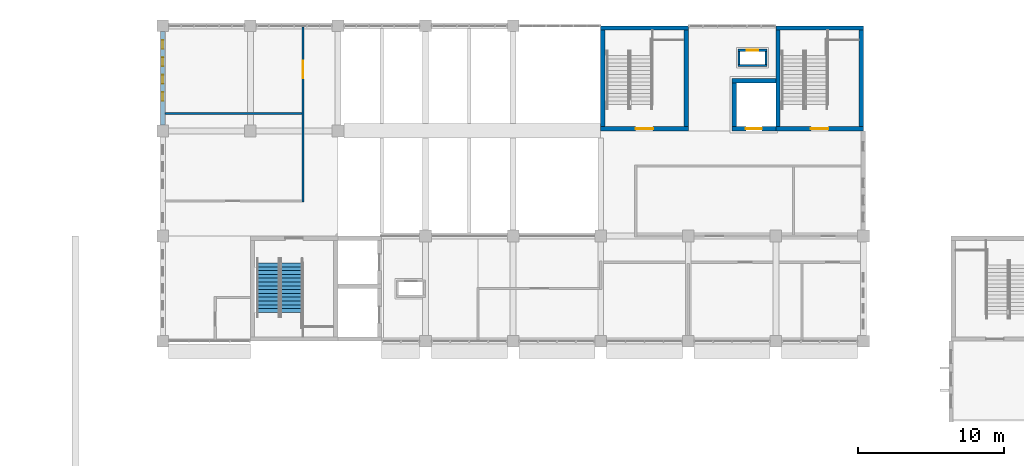
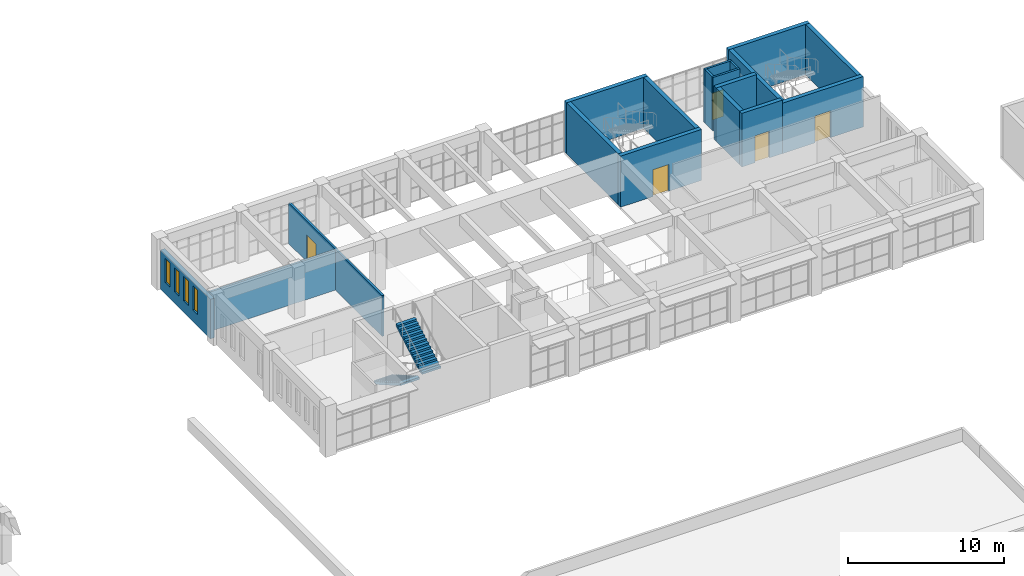
# One storey, part 36 of 47: 18 walls, 5 doors, 4 windows, 2 stair flights, 9 openings, 1 element without a shape of its own.
"""IFC4 building model written with IfcOpenShell, lengths in metres."""

from ifc_helpers import new_model, si_unit, direction, frame, frame_2d, origin, place, context, subcontext, project, spatial, polyline, rectangle, outline, extrude, material, layer, layer_set, type_object, element, fill, aggregate, save


model = new_model("IFC4")

# Units and contexts
model_context = context("Model", 3, precision=1e-05, world=origin(), true_north=direction((0.0, 1.0)))
body_context = subcontext(model_context, "Body", "Model", "MODEL_VIEW")
ifc_project = project(units=[si_unit("LENGTHUNIT", "METRE"), si_unit("AREAUNIT", "SQUARE_METRE"), si_unit("VOLUMEUNIT", "CUBIC_METRE"), si_unit("PLANEANGLEUNIT", "RADIAN"), si_unit("MASSUNIT", "GRAM", prefix="KILO")], contexts=[model_context])

# Site, building, storey
site_placement = place(None, origin())
site = spatial("IfcSite", under=ifc_project, at=site_placement, CompositionType="ELEMENT")
building_placement = place(site_placement, origin())
building = spatial("IfcBuilding", under=site, at=building_placement, Name="Laocheng Heights Fire and Rescue Headquarters", CompositionType="ELEMENT")
storey_placement = place(building_placement, frame((0.0, 0.0, 16.800048828125)))
storey = spatial("IfcBuildingStorey", under=building, at=storey_placement, Name="L04", CompositionType="ELEMENT", Elevation=16.800048828125)

# Wall, opening, door
ifc_material_1 = material(Name="Gypsum plaster")
ifc_layer_1 = layer(ifc_material_1, 0.010009765625, Name="PLASTER", Category="plaster")
ifc_material_2 = material(Name="Concrete blockwork MU10", Category="masonry")
ifc_layer_2 = layer(ifc_material_2, 0.1298828125, Name="BLOCKWORK", Category="masonry")
ifc_layer_3 = layer(ifc_material_1, 0.010009765625, Name="PLASTER", Category="plaster")
ifc_layer_set_1 = layer_set([ifc_layer_1, ifc_layer_2, ifc_layer_3], Name="Concrete blockwork MU10")
wall_type_1 = type_object("IfcWallType", Name="BLOCKWORK CORRIDOR WALL 150 EI 60 HQ WING", PredefinedType="PARTITIONING", material=ifc_layer_set_1)
wall_1_placement = place(storey_placement, frame((45.60009765625, 59.925048828125, 0.0), z_axis=(0.0, 0.0, 1.0), x_axis=(0.0, 1.0, 0.0)))
wall_1 = element("IfcWall", 1, at=wall_1_placement, inside=storey, type_object=wall_type_1, Name="Partition L04-002", PredefinedType="PARTITIONING", context=body_context, shape_type="SweptSolid", body=[
    extrude(rectangle(XDim=12.0, YDim=0.14990234375, at=frame_2d((6.0, 0.0))), origin(), (0.0, 0.0, 1.0), 3.199951171875),
])
opening_1_placement = place(wall_1_placement, frame((8.47509765625, 0.0, 0.0)))
opening_1 = element("IfcOpeningElement", 2, at=opening_1_placement, cuts=wall_1, Name="Opening L04-Y02", PredefinedType="OPENING", context=body_context, shape_type="SweptSolid", body=[
    extrude(rectangle(XDim=1.199951171875, YDim=2.10009765625, at=frame_2d((0.60009765625, 1.050048828125))), frame((0.0, 0.0849609375, 0.0), z_axis=(0.0, -1.0, 0.0), x_axis=(1.0, 0.0, 0.0)), (0.0, 0.0, 1.0), 0.169921875),
])
ifc_material_3 = material(Name="Timber door leaf, veneered", Category="wood")
door_type_1 = type_object("IfcDoorType", Name="TIMBER DOOR 1200x2100 EI 30 HQ WING", OperationType="SINGLE_SWING_LEFT", PredefinedType="DOOR", material=ifc_material_3)
door_1_placement = place(opening_1_placement, origin())
door_1 = element("IfcDoor", 3, at=door_1_placement, inside=storey, type_object=door_type_1, Name="Door L04-Y02", OperationType="SINGLE_SWING_LEFT", OverallHeight=2.10009765625, OverallWidth=1.199951171875, PredefinedType="DOOR", context=body_context, shape_type="SweptSolid", body=[
    extrude(rectangle(XDim=1.199951171875, YDim=2.10009765625, at=frame_2d((0.60009765625, 1.050048828125))), frame((0.0, 0.02490234375, 0.0), z_axis=(0.0, -1.0, 0.0), x_axis=(1.0, 0.0, 0.0)), (0.0, 0.0, 1.0), 0.050048828125),
])
fill(opening_1, door_1)

# Wall
wall_2_placement = place(storey_placement, frame((36.14990234375, 66.0, 0.0), z_axis=(0.0, 0.0, 1.0), x_axis=(1.0, 0.0, 0.0)))
element("IfcWall", 4, at=wall_2_placement, inside=storey, type_object=wall_type_1, Name="Partition L04-017", PredefinedType="PARTITIONING", context=body_context, shape_type="SweptSolid", body=[
    extrude(rectangle(XDim=9.375, YDim=0.14990234375, at=frame_2d((4.6875, 0.0))), origin(), (0.0, 0.0, 1.0), 3.099853515625),
])

# Wall, openings, windows
ifc_material_4 = material(Name="Precast concrete C40/50", Category="concrete")
ifc_layer_4 = layer(ifc_material_4, 0.300048828125)
ifc_layer_set_2 = layer_set([ifc_layer_4], Name="Precast concrete C40/50")
wall_type_2 = type_object("IfcWallType", Name="PRECAST WALL PANEL 300", PredefinedType="SOLIDWALL", material=ifc_layer_set_2)
wall_3_placement = place(storey_placement, frame((36.0, 65.199951171875, 0.0), z_axis=(0.0, 0.0, 1.0), x_axis=(0.0, 1.0, 0.0)))
wall_3 = element("IfcWall", 5, at=wall_3_placement, inside=storey, type_object=wall_type_2, Name="PRECAST WALL PANEL HQ WEST L04", PredefinedType="SOLIDWALL", context=body_context, shape_type="SweptSolid", body=[
    extrude(rectangle(XDim=6.400146484375, YDim=0.300048828125, at=frame_2d((3.2001953125, 0.0))), origin(), (0.0, 0.0, 1.0), 3.099853515625),
])
opening_2_placement = place(wall_3_placement, frame((1.6640625, 0.0, 0.89990234375)))
opening_2 = element("IfcOpeningElement", 6, at=opening_2_placement, cuts=wall_3, Name="Opening N1-X", PredefinedType="OPENING", context=body_context, shape_type="SweptSolid", body=[
    extrude(rectangle(XDim=0.60009765625, YDim=1.89990234375, at=frame_2d((0.300048828125, 0.949951171875))), frame((0.0, 0.159912109375, 0.0), z_axis=(0.0, -1.0, 0.0), x_axis=(1.0, 0.0, 0.0)), (0.0, 0.0, 1.0), 0.320068359375),
])
opening_3_placement = place(wall_3_placement, frame((2.847900390625, 0.0, 0.89990234375)))
opening_3 = element("IfcOpeningElement", 7, at=opening_3_placement, cuts=wall_3, Name="Opening N1-X", PredefinedType="OPENING", context=body_context, shape_type="SweptSolid", body=[
    extrude(rectangle(XDim=0.60009765625, YDim=1.89990234375, at=frame_2d((0.300048828125, 0.949951171875))), frame((0.0, 0.159912109375, 0.0), z_axis=(0.0, -1.0, 0.0), x_axis=(1.0, 0.0, 0.0)), (0.0, 0.0, 1.0), 0.320068359375),
])
opening_4_placement = place(wall_3_placement, frame((4.031982421875, 0.0, 0.89990234375)))
opening_4 = element("IfcOpeningElement", 8, at=opening_4_placement, cuts=wall_3, Name="Opening N1-X", PredefinedType="OPENING", context=body_context, shape_type="SweptSolid", body=[
    extrude(rectangle(XDim=0.60009765625, YDim=1.89990234375, at=frame_2d((0.300048828125, 0.949951171875))), frame((0.0, 0.159912109375, 0.0), z_axis=(0.0, -1.0, 0.0), x_axis=(1.0, 0.0, 0.0)), (0.0, 0.0, 1.0), 0.320068359375),
])
opening_5_placement = place(wall_3_placement, frame((5.216064453125, 0.0, 0.89990234375)))
opening_5 = element("IfcOpeningElement", 9, at=opening_5_placement, cuts=wall_3, Name="Opening N1-X", PredefinedType="OPENING", context=body_context, shape_type="SweptSolid", body=[
    extrude(rectangle(XDim=0.60009765625, YDim=1.89990234375, at=frame_2d((0.300048828125, 0.949951171875))), frame((0.0, 0.159912109375, 0.0), z_axis=(0.0, -1.0, 0.0), x_axis=(1.0, 0.0, 0.0)), (0.0, 0.0, 1.0), 0.320068359375),
])
ifc_material_5 = material(Name="Low-e double glazing in aluminium frame", Category="aluminium")
window_type = type_object("IfcWindowType", Name="WINDOW 600 x 1900 HQ END SLOT", PartitioningType="SINGLE_PANEL", PredefinedType="WINDOW", material=ifc_material_5)
window_1_placement = place(opening_2_placement, origin())
window_1 = element("IfcWindow", 10, at=window_1_placement, inside=storey, type_object=window_type, Name="HQ END SLOT HQ WEST L04", OverallHeight=1.89990234375, OverallWidth=0.60009765625, PartitioningType="SINGLE_PANEL", PredefinedType="WINDOW", context=body_context, shape_type="SweptSolid", body=[
    extrude(rectangle(XDim=0.60009765625, YDim=1.89990234375, at=frame_2d((0.300048828125, 0.949951171875))), frame((0.0, 0.030029296875, 0.0), z_axis=(0.0, -1.0, 0.0), x_axis=(1.0, 0.0, 0.0)), (0.0, 0.0, 1.0), 0.06005859375),
])
fill(opening_2, window_1)
window_2_placement = place(opening_3_placement, origin())
window_2 = element("IfcWindow", 11, at=window_2_placement, inside=storey, type_object=window_type, Name="HQ END SLOT HQ WEST L04", OverallHeight=1.89990234375, OverallWidth=0.60009765625, PartitioningType="SINGLE_PANEL", PredefinedType="WINDOW", context=body_context, shape_type="SweptSolid", body=[
    extrude(rectangle(XDim=0.60009765625, YDim=1.89990234375, at=frame_2d((0.300048828125, 0.949951171875))), frame((0.0, 0.030029296875, 0.0), z_axis=(0.0, -1.0, 0.0), x_axis=(1.0, 0.0, 0.0)), (0.0, 0.0, 1.0), 0.06005859375),
])
fill(opening_3, window_2)
window_3_placement = place(opening_4_placement, origin())
window_3 = element("IfcWindow", 12, at=window_3_placement, inside=storey, type_object=window_type, Name="HQ END SLOT HQ WEST L04", OverallHeight=1.89990234375, OverallWidth=0.60009765625, PartitioningType="SINGLE_PANEL", PredefinedType="WINDOW", context=body_context, shape_type="SweptSolid", body=[
    extrude(rectangle(XDim=0.60009765625, YDim=1.89990234375, at=frame_2d((0.300048828125, 0.949951171875))), frame((0.0, 0.030029296875, 0.0), z_axis=(0.0, -1.0, 0.0), x_axis=(1.0, 0.0, 0.0)), (0.0, 0.0, 1.0), 0.06005859375),
])
fill(opening_4, window_3)
window_4_placement = place(opening_5_placement, origin())
window_4 = element("IfcWindow", 13, at=window_4_placement, inside=storey, type_object=window_type, Name="HQ END SLOT HQ WEST L04", OverallHeight=1.89990234375, OverallWidth=0.60009765625, PartitioningType="SINGLE_PANEL", PredefinedType="WINDOW", context=body_context, shape_type="SweptSolid", body=[
    extrude(rectangle(XDim=0.60009765625, YDim=1.89990234375, at=frame_2d((0.300048828125, 0.949951171875))), frame((0.0, 0.030029296875, 0.0), z_axis=(0.0, -1.0, 0.0), x_axis=(1.0, 0.0, 0.0)), (0.0, 0.0, 1.0), 0.06005859375),
])
fill(opening_5, window_4)

# Wall, opening, door
ifc_material_6 = material(Name="Concrete C50", Category="concrete")
ifc_layer_5 = layer(ifc_material_6, 0.300048828125)
ifc_layer_set_3 = layer_set([ifc_layer_5], Name="Concrete C50")
wall_type_3 = type_object("IfcWallType", Name="RC LIFT SHAFT WALL 300", PredefinedType="SHEAR", material=ifc_layer_set_3)
wall_4_placement = place(storey_placement, frame((75.0, 64.949951171875, 0.0), z_axis=(0.0, 0.0, 1.0), x_axis=(1.0, 0.0, 0.0)))
wall_4 = element("IfcWall", 14, at=wall_4_placement, inside=storey, type_object=wall_type_3, Name="Lift shaft wall", PredefinedType="SHEAR", context=body_context, shape_type="SweptSolid", body=[
    extrude(rectangle(XDim=3.0, YDim=0.300048828125, at=frame_2d((1.5, 0.0))), origin(), (0.0, 0.0, 1.0), 4.199951171875),
])
opening_6_placement = place(wall_4_placement, frame((0.949951171875, 0.0, 0.0)))
opening_6 = element("IfcOpeningElement", 15, at=opening_6_placement, cuts=wall_4, Name="Opening L04-K14", PredefinedType="OPENING", context=body_context, shape_type="SweptSolid", body=[
    extrude(rectangle(XDim=1.10009765625, YDim=2.10009765625, at=frame_2d((0.550048828125, 1.050048828125))), frame((0.0, 0.159912109375, 0.0), z_axis=(0.0, -1.0, 0.0), x_axis=(1.0, 0.0, 0.0)), (0.0, 0.0, 1.0), 0.320068359375),
])
ifc_material_7 = material(Name="Stainless steel", Category="steel")
door_type_2 = type_object("IfcDoorType", Name="LANDING DOOR H-L2 SLIDING 1100x2100 E 120", OperationType="DOUBLE_DOOR_SLIDING", PredefinedType="DOOR", material=ifc_material_7)
door_2_placement = place(opening_6_placement, origin())
door_2 = element("IfcDoor", 16, at=door_2_placement, inside=storey, type_object=door_type_2, Name="Landing door H-L2", OperationType="DOUBLE_DOOR_SLIDING", OverallHeight=2.10009765625, OverallWidth=1.10009765625, PredefinedType="DOOR", context=body_context, shape_type="SweptSolid", body=[
    extrude(rectangle(XDim=1.10009765625, YDim=2.10009765625, at=frame_2d((0.550048828125, 1.050048828125))), frame((0.0, 0.02490234375, 0.0), z_axis=(0.0, -1.0, 0.0), x_axis=(1.0, 0.0, 0.0)), (0.0, 0.0, 1.0), 0.050048828125),
])
fill(opening_6, door_2)

# Walls
for number, where, z_axis, x_axis, name in (
    (17, (75.0, 68.25, 0.0), (0.0, 0.0, 1.0), (1.0, 0.0, 0.0), "Lift shaft wall"),
    (18, (75.14990234375, 65.10009765625, 0.0), (0.0, 0.0, 1.0), (0.0, 1.0, 0.0), "Lift shaft wall"),
):
    element("IfcWall", number, at=place(storey_placement, frame(where, z_axis=z_axis, x_axis=x_axis)), inside=storey, type_object=wall_type_3, Name=name, PredefinedType="SHEAR", context=body_context, shape_type="SweptSolid", body=[
        extrude(rectangle(XDim=3.0, YDim=0.300048828125, at=frame_2d((1.5, 0.0))), origin(), (0.0, 0.0, 1.0), 4.199951171875),
    ])

# Wall, opening, door
ifc_material_8 = material(Name="Concrete C50", Category="concrete")
ifc_layer_6 = layer(ifc_material_8, 0.300048828125)
ifc_layer_set_4 = layer_set([ifc_layer_6], Name="Concrete C50")
wall_type_4 = type_object("IfcWallType", Name="RC STAIR ENCLOSURE WALL 300", PredefinedType="SHEAR", material=ifc_layer_set_4)
wall_5_placement = place(storey_placement, frame((78.0, 64.949951171875, 0.0), z_axis=(0.0, 0.0, 1.0), x_axis=(1.0, 0.0, 0.0)))
wall_5 = element("IfcWall", 19, at=wall_5_placement, inside=storey, type_object=wall_type_4, Name="Stair enclosure wall", PredefinedType="SHEAR", context=body_context, shape_type="SweptSolid", body=[
    extrude(rectangle(XDim=6.0, YDim=0.300048828125, at=frame_2d((3.0, 0.0))), origin(), (0.0, 0.0, 1.0), 3.949951171875),
])
opening_7_placement = place(wall_5_placement, frame((2.39990234375, 0.0, 0.0)))
opening_7 = element("IfcOpeningElement", 20, at=opening_7_placement, cuts=wall_5, Name="Opening L04-K13", PredefinedType="OPENING", context=body_context, shape_type="SweptSolid", body=[
    extrude(rectangle(XDim=1.199951171875, YDim=2.10009765625, at=frame_2d((0.60009765625, 1.050048828125))), frame((0.0, 0.159912109375, 0.0), z_axis=(0.0, -1.0, 0.0), x_axis=(1.0, 0.0, 0.0)), (0.0, 0.0, 1.0), 0.320068359375),
])
ifc_material_9 = material(Name="Painted steel", Category="steel")
door_type_3 = type_object("IfcDoorType", Name="FIRE DOOR 1200x2100 EI 60", OperationType="SINGLE_SWING_LEFT", PredefinedType="DOOR", material=ifc_material_9)
door_3_placement = place(opening_7_placement, origin())
door_3 = element("IfcDoor", 21, at=door_3_placement, inside=storey, type_object=door_type_3, Name="Stair H2 door", OperationType="SINGLE_SWING_LEFT", OverallHeight=2.10009765625, OverallWidth=1.199951171875, PredefinedType="DOOR", context=body_context, shape_type="SweptSolid", body=[
    extrude(rectangle(XDim=1.199951171875, YDim=2.10009765625, at=frame_2d((0.60009765625, 1.050048828125))), frame((0.0, 0.02490234375, 0.0), z_axis=(0.0, -1.0, 0.0), x_axis=(1.0, 0.0, 0.0)), (0.0, 0.0, 1.0), 0.050048828125),
])
fill(opening_7, door_3)

# Walls
wall_6_placement = place(storey_placement, frame((78.0, 71.85009765625, 0.0), z_axis=(0.0, 0.0, 1.0), x_axis=(1.0, 0.0, 0.0)))
element("IfcWall", 22, at=wall_6_placement, inside=storey, type_object=wall_type_4, Name="Stair enclosure wall", PredefinedType="SHEAR", context=body_context, shape_type="SweptSolid", body=[
    extrude(rectangle(XDim=6.0, YDim=0.300048828125, at=frame_2d((3.0, 0.0))), origin(), (0.0, 0.0, 1.0), 3.949951171875),
])
for number, where, z_axis, x_axis, name in (
    (23, (78.14990234375, 65.10009765625, 0.0), (0.0, 0.0, 1.0), (0.0, 1.0, 0.0), "Stair enclosure wall"),
    (24, (83.85009765625, 65.10009765625, 0.0), (0.0, 0.0, 1.0), (0.0, 1.0, 0.0), "Stair enclosure wall"),
):
    element("IfcWall", number, at=place(storey_placement, frame(where, z_axis=z_axis, x_axis=x_axis)), inside=storey, type_object=wall_type_4, Name=name, PredefinedType="SHEAR", context=body_context, shape_type="SweptSolid", body=[
        extrude(rectangle(XDim=6.599853515625, YDim=0.300048828125, at=frame_2d((3.2998046875, 0.0))), origin(), (0.0, 0.0, 1.0), 3.949951171875),
    ])

# Wall, opening, door
wall_7_placement = place(storey_placement, frame((66.0, 64.949951171875, 0.0), z_axis=(0.0, 0.0, 1.0), x_axis=(1.0, 0.0, 0.0)))
wall_7 = element("IfcWall", 25, at=wall_7_placement, inside=storey, type_object=wall_type_4, Name="Stair enclosure wall", PredefinedType="SHEAR", context=body_context, shape_type="SweptSolid", body=[
    extrude(rectangle(XDim=6.0, YDim=0.300048828125, at=frame_2d((3.0, 0.0))), origin(), (0.0, 0.0, 1.0), 4.0),
])
opening_8_placement = place(wall_7_placement, frame((2.39990234375, 0.0, 0.0)))
opening_8 = element("IfcOpeningElement", 26, at=opening_8_placement, cuts=wall_7, Name="Opening L04-K16", PredefinedType="OPENING", context=body_context, shape_type="SweptSolid", body=[
    extrude(rectangle(XDim=1.199951171875, YDim=2.10009765625, at=frame_2d((0.60009765625, 1.050048828125))), frame((0.0, 0.159912109375, 0.0), z_axis=(0.0, -1.0, 0.0), x_axis=(1.0, 0.0, 0.0)), (0.0, 0.0, 1.0), 0.320068359375),
])
door_4_placement = place(opening_8_placement, origin())
door_4 = element("IfcDoor", 27, at=door_4_placement, inside=storey, type_object=door_type_3, Name="Stair H3 door", OperationType="SINGLE_SWING_LEFT", OverallHeight=2.10009765625, OverallWidth=1.199951171875, PredefinedType="DOOR", context=body_context, shape_type="SweptSolid", body=[
    extrude(rectangle(XDim=1.199951171875, YDim=2.10009765625, at=frame_2d((0.60009765625, 1.050048828125))), frame((0.0, 0.02490234375, 0.0), z_axis=(0.0, -1.0, 0.0), x_axis=(1.0, 0.0, 0.0)), (0.0, 0.0, 1.0), 0.050048828125),
])
fill(opening_8, door_4)

# Walls
wall_8_placement = place(storey_placement, frame((66.0, 71.85009765625, 0.0), z_axis=(0.0, 0.0, 1.0), x_axis=(1.0, 0.0, 0.0)))
element("IfcWall", 28, at=wall_8_placement, inside=storey, type_object=wall_type_4, Name="Stair enclosure wall", PredefinedType="SHEAR", context=body_context, shape_type="SweptSolid", body=[
    extrude(rectangle(XDim=6.0, YDim=0.300048828125, at=frame_2d((3.0, 0.0))), origin(), (0.0, 0.0, 1.0), 4.0),
])
for number, where, z_axis, x_axis, name in (
    (29, (66.14990234375, 65.10009765625, 0.0), (0.0, 0.0, 1.0), (0.0, 1.0, 0.0), "Stair enclosure wall"),
    (30, (71.85009765625, 65.10009765625, 0.0), (0.0, 0.0, 1.0), (0.0, 1.0, 0.0), "Stair enclosure wall"),
):
    element("IfcWall", number, at=place(storey_placement, frame(where, z_axis=z_axis, x_axis=x_axis)), inside=storey, type_object=wall_type_4, Name=name, PredefinedType="SHEAR", context=body_context, shape_type="SweptSolid", body=[
        extrude(rectangle(XDim=6.599853515625, YDim=0.300048828125, at=frame_2d((3.2998046875, 0.0))), origin(), (0.0, 0.0, 1.0), 4.0),
    ])
ifc_material_10 = material(Name="Concrete C30", Category="concrete")
ifc_layer_7 = layer(ifc_material_10, 0.14990234375)
ifc_layer_set_5 = layer_set([ifc_layer_7], Name="Concrete C30")
wall_type_5 = type_object("IfcWallType", Name="RISER SHAFT WALL 150", PredefinedType="SOLIDWALL", material=ifc_layer_set_5)
wall_9_placement = place(storey_placement, frame((75.39990234375, 69.27490234375, 0.0), z_axis=(0.0, 0.0, 1.0), x_axis=(1.0, 0.0, 0.0)))
element("IfcWall", 31, at=wall_9_placement, inside=storey, type_object=wall_type_5, Name="Riser shaft wall", PredefinedType="SOLIDWALL", context=body_context, shape_type="SweptSolid", body=[
    extrude(rectangle(XDim=2.0, YDim=0.14990234375, at=frame_2d((1.0, 0.0))), origin(), (0.0, 0.0, 1.0), 4.199951171875),
])

# Wall, opening, door
wall_10_placement = place(storey_placement, frame((75.39990234375, 70.324951171875, 0.0), z_axis=(0.0, 0.0, 1.0), x_axis=(1.0, 0.0, 0.0)))
wall_10 = element("IfcWall", 32, at=wall_10_placement, inside=storey, type_object=wall_type_5, Name="Riser shaft wall", PredefinedType="SOLIDWALL", context=body_context, shape_type="SweptSolid", body=[
    extrude(rectangle(XDim=2.0, YDim=0.14990234375, at=frame_2d((1.0, 0.0))), origin(), (0.0, 0.0, 1.0), 4.199951171875),
])
opening_9_placement = place(wall_10_placement, frame((0.60009765625, 0.0, 0.0)))
opening_9 = element("IfcOpeningElement", 33, at=opening_9_placement, cuts=wall_10, Name="Opening L04-K15", PredefinedType="OPENING", context=body_context, shape_type="SweptSolid", body=[
    extrude(rectangle(XDim=0.800048828125, YDim=2.10009765625, at=frame_2d((0.39990234375, 1.050048828125))), frame((0.0, 0.0849609375, 0.0), z_axis=(0.0, -1.0, 0.0), x_axis=(1.0, 0.0, 0.0)), (0.0, 0.0, 1.0), 0.169921875),
])
ifc_material_11 = material(Name="Painted steel", Category="steel")
door_type_4 = type_object("IfcDoorType", Name="RISER ACCESS DOOR 800x2100 EI 30", OperationType="SINGLE_SWING_LEFT", PredefinedType="DOOR", material=ifc_material_11)
door_5_placement = place(opening_9_placement, frame((0.800048828125, 0.0, 0.0), z_axis=(0.0, 0.0, 1.0), x_axis=(-1.0, 0.0, 0.0)))
door_5 = element("IfcDoor", 34, at=door_5_placement, inside=storey, type_object=door_type_4, Name="Riser RH2 access door", OperationType="SINGLE_SWING_LEFT", OverallHeight=2.10009765625, OverallWidth=0.800048828125, PredefinedType="DOOR", context=body_context, shape_type="SweptSolid", body=[
    extrude(rectangle(XDim=0.800048828125, YDim=2.10009765625, at=frame_2d((0.39990234375, 1.050048828125))), frame((0.0, 0.02490234375, 0.0), z_axis=(0.0, -1.0, 0.0), x_axis=(1.0, 0.0, 0.0)), (0.0, 0.0, 1.0), 0.050048828125),
])
fill(opening_9, door_5)

# Walls
for number, where, z_axis, x_axis, name in (
    (35, (75.47509765625, 69.35009765625, 0.0), (0.0, 0.0, 1.0), (0.0, 1.0, 0.0), "Riser shaft wall"),
    (36, (77.324951171875, 69.35009765625, 0.0), (0.0, 0.0, 1.0), (0.0, 1.0, 0.0), "Riser shaft wall"),
):
    element("IfcWall", number, at=place(storey_placement, frame(where, z_axis=z_axis, x_axis=x_axis)), inside=storey, type_object=wall_type_5, Name=name, PredefinedType="SOLIDWALL", context=body_context, shape_type="SweptSolid", body=[
        extrude(rectangle(XDim=0.89990234375, YDim=0.14990234375, at=frame_2d((0.449951171875, 0.0))), origin(), (0.0, 0.0, 1.0), 4.199951171875),
    ])

# Stair, stair flights
ifc_material_12 = material(Name="Concrete C40", Category="concrete")
stair_type = type_object("IfcStairType", Name="RC STAIR 1400 TWO FLIGHTS 28 RISERS OF 150 GOING 260", PredefinedType="HALF_TURN_STAIR", material=ifc_material_12)
stair_placement = place(storey_placement, origin())
stair = element("IfcStair", 37, at=stair_placement, inside=storey, type_object=stair_type, Name="Stair H1 (L04 to L05)", PredefinedType="HALF_TURN_STAIR")
ifc_material_13 = material(Name="Concrete C40", Category="concrete")
stair_flight_type = type_object("IfcStairFlightType", Name="RC STAIR FLIGHT 1400 RISERS OF 150 GOING 260", PredefinedType="STRAIGHT", material=ifc_material_13)
stair_flight_1_placement = place(storey_placement, frame((43.22509765625, 55.75, 0.0), z_axis=(0.0, 0.0, 1.0), x_axis=(0.0, -1.0, 0.0)))
stair_flight_1 = element("IfcStairFlight", 38, at=stair_flight_1_placement, type_object=stair_flight_type, Name="H1-L04 flight 1", NumberOfRisers=14, NumberOfTreads=13, PredefinedType="STRAIGHT", RiserHeight=0.15, TreadLength=0.26, context=body_context, shape_type="SweptSolid", body=[
    extrude(outline(polyline([(0.0, 0.0), (0.0, 0.14990234375), (0.260009765625, 0.14990234375), (0.260009765625, 0.300048828125), (0.52001953125, 0.300048828125), (0.52001953125, 0.449951171875), (0.780029296875, 0.449951171875), (0.780029296875, 0.60009765625), (1.0400390625, 0.60009765625), (1.0400390625, 0.75), (1.300048828125, 0.75), (1.300048828125, 0.89990234375), (1.56005859375, 0.89990234375), (1.56005859375, 1.050048828125), (1.820068359375, 1.050048828125), (1.820068359375, 1.199951171875), (2.080078125, 1.199951171875), (2.080078125, 1.35009765625), (2.340087890625, 1.35009765625), (2.340087890625, 1.5), (2.60009765625, 1.5), (2.60009765625, 1.64990234375), (2.860107421875, 1.64990234375), (2.860107421875, 1.800048828125), (3.1201171875, 1.800048828125), (3.1201171875, 1.949951171875), (3.3798828125, 1.949951171875), (3.3798828125, 2.10009765625), (3.3798828125, 1.77685546875), (0.300048828125, 0.0), (0.0, 0.0)])), frame((0.0, 0.699951171875, 0.0), z_axis=(0.0, -1.0, 0.0), x_axis=(1.0, 0.0, 0.0)), (0.0, 0.0, 1.0), 1.39990234375),
])
stair_flight_2_placement = place(storey_placement, frame((44.824951171875, 52.3701171875, 2.10205078125), z_axis=(0.0, 0.0, 1.0), x_axis=(0.0, 1.0, 0.0)))
stair_flight_2 = element("IfcStairFlight", 39, at=stair_flight_2_placement, type_object=stair_flight_type, Name="H1-L04 flight 2", NumberOfRisers=14, NumberOfTreads=13, PredefinedType="STRAIGHT", RiserHeight=0.15, TreadLength=0.26, context=body_context, shape_type="SweptSolid", body=[
    extrude(outline(polyline([(0.0, 0.0), (0.0, 0.14990234375), (0.260009765625, 0.14990234375), (0.260009765625, 0.300048828125), (0.52001953125, 0.300048828125), (0.52001953125, 0.449951171875), (0.780029296875, 0.449951171875), (0.780029296875, 0.60009765625), (1.0400390625, 0.60009765625), (1.0400390625, 0.75), (1.300048828125, 0.75), (1.300048828125, 0.89990234375), (1.56005859375, 0.89990234375), (1.56005859375, 1.050048828125), (1.820068359375, 1.050048828125), (1.820068359375, 1.199951171875), (2.080078125, 1.199951171875), (2.080078125, 1.35009765625), (2.340087890625, 1.35009765625), (2.340087890625, 1.5), (2.60009765625, 1.5), (2.60009765625, 1.64990234375), (2.860107421875, 1.64990234375), (2.860107421875, 1.800048828125), (3.1201171875, 1.800048828125), (3.1201171875, 1.949951171875), (3.3798828125, 1.949951171875), (3.3798828125, 2.10009765625), (3.3798828125, 1.77685546875), (0.300048828125, 0.0), (0.0, 0.0)])), frame((0.0, 0.699951171875, 0.0), z_axis=(0.0, -1.0, 0.0), x_axis=(1.0, 0.0, 0.0)), (0.0, 0.0, 1.0), 1.39990234375),
])
aggregate(stair, [stair_flight_1, stair_flight_2])

save(model, "model.ifc")
